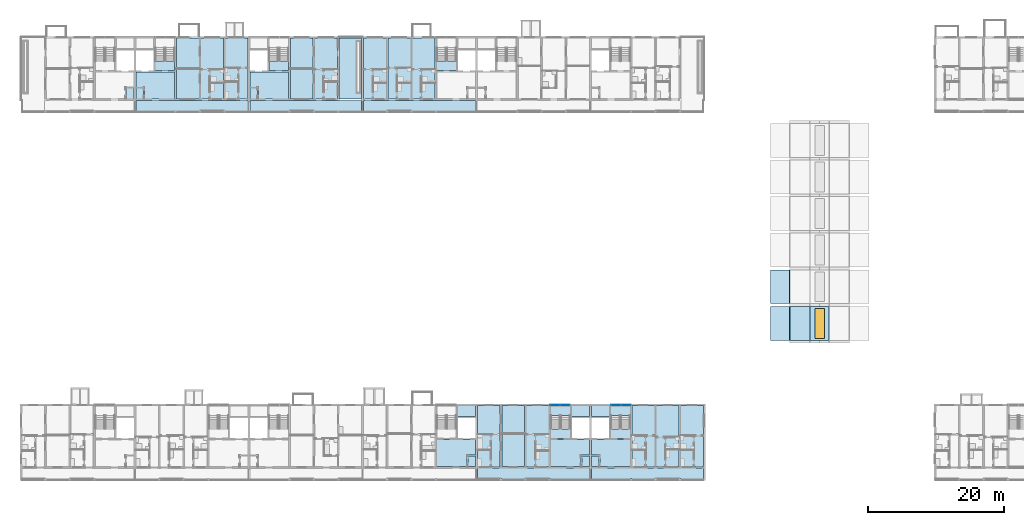
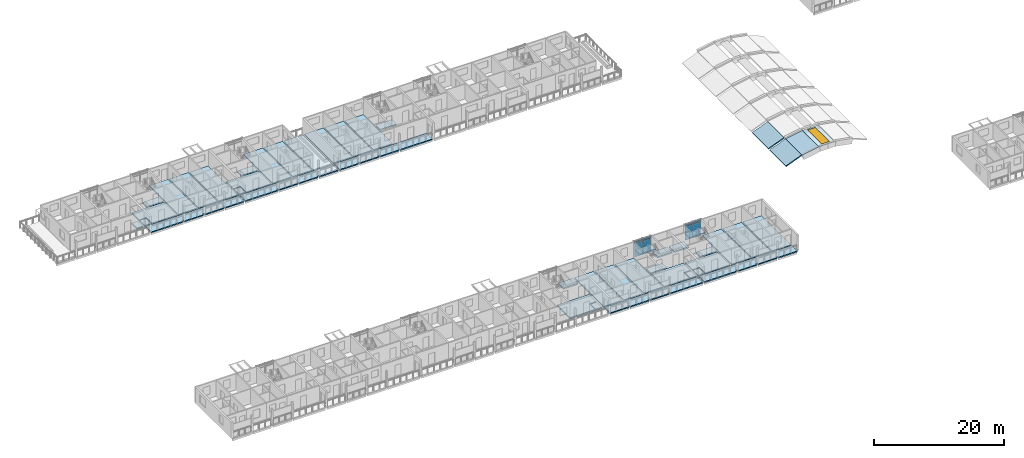
# One storey, part 23 of 93: 45 slabs, 8 plates, 1 window, 1 opening, 4 elements without a shape of their own.
"""IFC4 building model written with IfcOpenShell, lengths in metres."""

from ifc_helpers import new_model, si_unit, direction, frame, origin, origin_2d, place, context, subcontext, project, spatial, polyline, rectangle, outline, extrude, material, layer, layer_set, type_object, element, fill, aggregate, save


model = new_model("IFC4")

# Units and contexts
model_context = context("Model", 3, precision=1e-05, world=origin(), true_north=direction((0.0, 1.0)))
body_context = subcontext(model_context, "Body", "Model", "MODEL_VIEW")
ifc_project = project(units=[si_unit("LENGTHUNIT", "METRE"), si_unit("AREAUNIT", "SQUARE_METRE"), si_unit("VOLUMEUNIT", "CUBIC_METRE"), si_unit("PLANEANGLEUNIT", "RADIAN"), si_unit("MASSUNIT", "GRAM", prefix="KILO")], contexts=[model_context])

# Site, building, storey
site_placement = place(None, origin())
site = spatial("IfcSite", under=ifc_project, at=site_placement, CompositionType="ELEMENT")
building_placement = place(site_placement, origin())
building = spatial("IfcBuilding", under=site, at=building_placement, Name="Ridgestep Commons", CompositionType="ELEMENT")
storey_placement = place(building_placement, frame((0.0, 0.0, 18.0)))
storey = spatial("IfcBuildingStorey", under=building, at=storey_placement, Name="L06", CompositionType="ELEMENT", Elevation=18.0)

# Slabs
ifc_material_1 = material(Name="Precast concrete C40/50", Category="concrete")
ifc_layer_1 = layer(ifc_material_1, 0.199951171875)
ifc_layer_set_1 = layer_set([ifc_layer_1], Name="Gallery slab 200")
slab_type_1 = type_object("IfcSlabType", Name="Gallery slab 200", PredefinedType="FLOOR", material=ifc_layer_set_1)
slab_1_placement = place(storey_placement, frame((0.0, 0.0, -0.199951171875)))
element("IfcSlab", 1, at=slab_1_placement, inside=storey, type_object=slab_type_1, Name="Gallery slab A5 L06", PredefinedType="FLOOR", context=body_context, shape_type="SweptSolid", body=[
    extrude(outline(polyline([(95.85009765625, 13.550048828125), (79.35009765625, 13.550048828125), (79.35009765625, 11.75), (82.675048828125, 11.75), (82.675048828125, 12.0), (82.925048828125, 12.0), (82.925048828125, 11.75), (86.27490234375, 11.75), (86.27490234375, 12.0), (86.52490234375, 12.0), (86.52490234375, 11.75), (89.875, 11.75), (89.875, 12.0), (90.125, 12.0), (90.125, 11.75), (95.85009765625, 11.75), (95.85009765625, 13.550048828125)])), origin(), (0.0, 0.0, 1.0), 0.199951171875),
])
slab_2_placement = place(storey_placement, frame((0.0, 0.0, -0.199951171875)))
element("IfcSlab", 2, at=slab_2_placement, inside=storey, type_object=slab_type_1, Name="Gallery slab A6 L06", PredefinedType="FLOOR", context=body_context, shape_type="SweptSolid", body=[
    extrude(outline(polyline([(112.64990234375, 13.550048828125), (96.14990234375, 13.550048828125), (96.14990234375, 11.75), (101.875, 11.75), (101.875, 12.0), (102.125, 12.0), (102.125, 11.75), (105.47509765625, 11.75), (105.47509765625, 12.0), (105.72509765625, 12.0), (105.72509765625, 11.75), (109.074951171875, 11.75), (109.074951171875, 12.0), (109.324951171875, 12.0), (109.324951171875, 11.75), (112.64990234375, 11.75), (112.64990234375, 13.550048828125)])), origin(), (0.0, 0.0, 1.0), 0.199951171875),
])
slab_3_placement = place(storey_placement, frame((0.0, 0.0, -0.199951171875)))
element("IfcSlab", 3, at=slab_3_placement, inside=storey, type_object=slab_type_1, Name="Gallery slab B2 L06", PredefinedType="FLOOR", context=body_context, shape_type="SweptSolid", body=[
    extrude(outline(polyline([(45.449951171875, 67.800048828125), (28.949951171875, 67.800048828125), (28.949951171875, 66.0), (34.675048828125, 66.0), (34.675048828125, 66.25), (34.925048828125, 66.25), (34.925048828125, 66.0), (38.27490234375, 66.0), (38.27490234375, 66.25), (38.52490234375, 66.25), (38.52490234375, 66.0), (41.875, 66.0), (41.875, 66.25), (42.125, 66.25), (42.125, 66.0), (45.449951171875, 66.0), (45.449951171875, 67.800048828125)])), origin(), (0.0, 0.0, 1.0), 0.199951171875),
])
slab_4_placement = place(storey_placement, frame((0.0, 0.0, -0.199951171875)))
element("IfcSlab", 4, at=slab_4_placement, inside=storey, type_object=slab_type_1, Name="Gallery slab B3 L06", PredefinedType="FLOOR", context=body_context, shape_type="SweptSolid", body=[
    extrude(outline(polyline([(62.25, 67.800048828125), (45.75, 67.800048828125), (45.75, 66.0), (51.47509765625, 66.0), (51.47509765625, 66.25), (51.72509765625, 66.25), (51.72509765625, 66.0), (55.074951171875, 66.0), (55.074951171875, 66.25), (55.324951171875, 66.25), (55.324951171875, 66.0), (58.675048828125, 66.0), (58.675048828125, 66.25), (58.925048828125, 66.25), (58.925048828125, 66.0), (62.25, 66.0), (62.25, 67.800048828125)])), origin(), (0.0, 0.0, 1.0), 0.199951171875),
])
slab_5_placement = place(storey_placement, frame((0.0, 0.0, -0.199951171875)))
element("IfcSlab", 5, at=slab_5_placement, inside=storey, type_object=slab_type_1, Name="Gallery slab B4 L06", PredefinedType="FLOOR", context=body_context, shape_type="SweptSolid", body=[
    extrude(outline(polyline([(79.050048828125, 67.800048828125), (62.550048828125, 67.800048828125), (62.550048828125, 66.0), (65.875, 66.0), (65.875, 66.25), (66.125, 66.25), (66.125, 66.0), (69.47509765625, 66.0), (69.47509765625, 66.25), (69.72509765625, 66.25), (69.72509765625, 66.0), (73.074951171875, 66.0), (73.074951171875, 66.25), (73.324951171875, 66.25), (73.324951171875, 66.0), (79.050048828125, 66.0), (79.050048828125, 67.800048828125)])), origin(), (0.0, 0.0, 1.0), 0.199951171875),
])

# Curtain wall, plates
ifc_material_2 = material(Name="Aluminium 6063-T6 and glass", Category="aluminium")
curtain_wall_type = type_object("IfcCurtainWallType", Name="Curtain wall stair strip", PredefinedType="NOTDEFINED", material=ifc_material_2)
curtain_wall_1_placement = place(storey_placement, origin())
curtain_wall_1 = element("IfcCurtainWall", 6, at=curtain_wall_1_placement, inside=storey, type_object=curtain_wall_type, Name="Curtain wall A5C level 06", PredefinedType="NOTDEFINED")
ifc_material_3 = material(Name="Glass laminated 6/16/6 low-emissivity", Category="glass")
ifc_layer_2 = layer(ifc_material_3, 0.028076171875)
ifc_layer_set_2 = layer_set([ifc_layer_2], Name="Glazing panel 28")
plate_type_1 = type_object("IfcPlateType", Name="Glazing panel 28", PredefinedType="CURTAIN_PANEL", material=ifc_layer_set_2)
plate_1_placement = place(storey_placement, frame((90.771240234375, 22.830078125, 0.06005859375), z_axis=(0.0, 0.0, 1.0), x_axis=(1.0, 0.0, 0.0)))
plate_1 = element("IfcPlate", 7, at=plate_1_placement, type_object=plate_type_1, Name="CW1 panel 1.1", PredefinedType="CURTAIN_PANEL", context=body_context, shape_type="SweptSolid", body=[
    extrude(rectangle(XDim=1.422607421875, YDim=0.028076171875, at=origin_2d()), origin(), (0.0, 0.0, 1.0), 2.5),
])
plate_2_placement = place(storey_placement, frame((92.253662109375, 22.830078125, 0.06005859375), z_axis=(0.0, 0.0, 1.0), x_axis=(1.0, 0.0, 0.0)))
plate_2 = element("IfcPlate", 8, at=plate_2_placement, type_object=plate_type_1, Name="CW1 panel 2.1", PredefinedType="CURTAIN_PANEL", context=body_context, shape_type="SweptSolid", body=[
    extrude(rectangle(XDim=1.422607421875, YDim=0.028076171875, at=origin_2d()), origin(), (0.0, 0.0, 1.0), 2.5),
])

curtain_wall_2_placement = place(storey_placement, origin())
curtain_wall_2 = element("IfcCurtainWall", 9, at=curtain_wall_2_placement, inside=storey, type_object=curtain_wall_type, Name="Curtain wall A6C level 06", PredefinedType="NOTDEFINED")
plate_3_placement = place(storey_placement, frame((99.746337890625, 22.830078125, 0.06005859375), z_axis=(0.0, 0.0, 1.0), x_axis=(1.0, 0.0, 0.0)))
plate_3 = element("IfcPlate", 10, at=plate_3_placement, type_object=plate_type_1, Name="CW1 panel 1.1", PredefinedType="CURTAIN_PANEL", context=body_context, shape_type="SweptSolid", body=[
    extrude(rectangle(XDim=1.422607421875, YDim=0.028076171875, at=origin_2d()), origin(), (0.0, 0.0, 1.0), 2.5),
])
plate_4_placement = place(storey_placement, frame((101.228759765625, 22.830078125, 0.06005859375), z_axis=(0.0, 0.0, 1.0), x_axis=(1.0, 0.0, 0.0)))
plate_4 = element("IfcPlate", 11, at=plate_4_placement, type_object=plate_type_1, Name="CW1 panel 2.1", PredefinedType="CURTAIN_PANEL", context=body_context, shape_type="SweptSolid", body=[
    extrude(rectangle(XDim=1.422607421875, YDim=0.028076171875, at=origin_2d()), origin(), (0.0, 0.0, 1.0), 2.5),
])

# Slab, opening, window
ifc_material_4 = material(Name="Precast concrete C50/60", Category="concrete")
ifc_layer_3 = layer(ifc_material_4, 0.199951171875)
ifc_layer_set_3 = layer_set([ifc_layer_3], Name="Hall crown plank 200")
slab_type_2 = type_object("IfcSlabType", Name="Hall crown plank 200", PredefinedType="ROOF", material=ifc_layer_set_3)
slab_6_placement = place(storey_placement, frame((0.0, 0.0, 1.488525390625)))
slab_6 = element("IfcSlab", 12, at=slab_6_placement, inside=storey, type_object=slab_type_2, Name="Hall barrel vault panel 73", PredefinedType="ROOF", context=body_context, shape_type="SweptSolid", body=[
    extrude(outline(polyline([(128.396484375, 32.39990234375), (131.20361328125, 32.39990234375), (131.20361328125, 37.39990234375), (128.396484375, 37.39990234375), (128.396484375, 32.39990234375)])), origin(), (0.0, 0.0, 1.0), 0.199951171875),
])
opening_placement = place(slab_6_placement, frame((129.800048828125, 34.89990234375, 0.0)))
opening = element("IfcOpeningElement", 13, at=opening_placement, cuts=slab_6, Name="Opening RL1", PredefinedType="OPENING", context=body_context, shape_type="SweptSolid", body=[
    extrude(rectangle(XDim=1.39990234375, YDim=4.39990234375, at=origin_2d()), origin(), (0.0, 0.0, 1.0), 0.199951171875),
])
ifc_material_5 = material(Name="Aluminium and glass", Category="aluminium")
window_type = type_object("IfcWindowType", Name="Roof light 1400 x 4400", PartitioningType="SINGLE_PANEL", PredefinedType="SKYLIGHT", material=ifc_material_5)
window_placement = place(opening_placement, frame((0.0, 0.0, 0.14990234375)))
window = element("IfcWindow", 14, at=window_placement, inside=storey, type_object=window_type, Name="Roof light", OverallHeight=4.39990234375, OverallWidth=1.39990234375, PartitioningType="SINGLE_PANEL", PredefinedType="SKYLIGHT", context=body_context, shape_type="SweptSolid", body=[
    extrude(rectangle(XDim=1.39990234375, YDim=4.39990234375, at=origin_2d()), origin(), (0.0, 0.0, 1.0), 0.050048828125),
])
fill(opening, window)

# Slabs
ifc_material_6 = material(Name="Precast concrete C50/60", Category="concrete")
ifc_layer_4 = layer(ifc_material_6, 0.199951171875)
ifc_layer_set_4 = layer_set([ifc_layer_4], Name="Hall roof plank 200")
slab_type_3 = type_object("IfcSlabType", Name="Hall roof plank 200", PredefinedType="ROOF", material=ifc_layer_set_4)
slab_7_placement = place(storey_placement, frame((122.536376953125, 32.39990234375, 0.03125), z_axis=(-0.362750411998, 0.0, 0.931886333517), x_axis=(0.931886333517, 0.0, 0.362750411998)))
element("IfcSlab", 15, at=slab_7_placement, inside=storey, type_object=slab_type_3, Name="Hall barrel vault panel 5", PredefinedType="ROOF", context=body_context, shape_type="SweptSolid", body=[
    extrude(outline(polyline([(0.0, 0.0), (3.0212157708921197, 0.0), (3.0212157708921197, 5.0), (0.0, 5.0), (0.0, 0.0)])), origin(), (0.0, 0.0, -1.0), 0.199951171875),
])
slab_8_placement = place(storey_placement, frame((125.38818359375, 32.39990234375, 1.137451171875), z_axis=(-0.181345488126, 0.0, 0.983419449643), x_axis=(0.983419449643, 0.0, 0.181345488126)))
element("IfcSlab", 16, at=slab_8_placement, inside=storey, type_object=slab_type_3, Name="Hall barrel vault panel 6", PredefinedType="ROOF", context=body_context, shape_type="SweptSolid", body=[
    extrude(outline(polyline([(0.0, 0.0), (3.0210377339017724, 0.0), (3.0210377339017724, 5.0), (0.0, 5.0), (0.0, 0.0)])), origin(), (0.0, 0.0, -1.0), 0.199951171875),
])
slab_9_placement = place(storey_placement, frame((122.536376953125, 37.800048828125, 0.03125), z_axis=(-0.362750411998, 0.0, 0.931886333517), x_axis=(0.931886333517, 0.0, 0.362750411998)))
element("IfcSlab", 17, at=slab_9_placement, inside=storey, type_object=slab_type_3, Name="Hall barrel vault panel 17", PredefinedType="ROOF", context=body_context, shape_type="SweptSolid", body=[
    extrude(outline(polyline([(0.0, 0.0), (3.0212157708921197, 0.0), (3.0212157708921197, 5.0), (0.0, 5.0), (0.0, 0.0)])), origin(), (0.0, 0.0, -1.0), 0.199951171875),
])
ifc_material_7 = material(Name="Precast concrete C50/60", Category="concrete")
ifc_layer_5 = layer(ifc_material_7, 0.199951171875)
ifc_layer_set_5 = layer_set([ifc_layer_5], Name="Hollow-core plank 200")
slab_type_4 = type_object("IfcSlabType", Name="Hollow-core plank 200", PredefinedType="FLOOR", material=ifc_layer_set_5)
slab_10_placement = place(storey_placement, frame((0.0, 0.0, -0.199951171875)))
element("IfcSlab", 18, at=slab_10_placement, inside=storey, type_object=slab_type_4, Name="Floor plank A5T1 L06", PredefinedType="FLOOR", context=body_context, shape_type="SweptSolid", body=[
    extrude(outline(polyline([(82.675048828125, 13.75), (82.675048828125, 22.75), (79.35009765625, 22.75), (79.35009765625, 13.75), (82.675048828125, 13.75)])), origin(), (0.0, 0.0, 1.0), 0.199951171875),
])
slab_11_placement = place(storey_placement, frame((0.0, 0.0, -0.199951171875)))
element("IfcSlab", 19, at=slab_11_placement, inside=storey, type_object=slab_type_4, Name="Floor plank A5T2 L06", PredefinedType="FLOOR", context=body_context, shape_type="SweptSolid", body=[
    extrude(outline(polyline([(86.27490234375, 13.75), (86.27490234375, 22.75), (82.925048828125, 22.75), (82.925048828125, 13.75), (86.27490234375, 13.75)])), origin(), (0.0, 0.0, 1.0), 0.199951171875),
])
slab_12_placement = place(storey_placement, frame((0.0, 0.0, -0.199951171875)))
element("IfcSlab", 20, at=slab_12_placement, inside=storey, type_object=slab_type_4, Name="Floor plank A5T3 L06", PredefinedType="FLOOR", context=body_context, shape_type="SweptSolid", body=[
    extrude(outline(polyline([(89.875, 13.75), (89.875, 22.75), (86.52490234375, 22.75), (86.52490234375, 13.75), (89.875, 13.75)])), origin(), (0.0, 0.0, 1.0), 0.199951171875),
])
slab_13_placement = place(storey_placement, frame((0.0, 0.0, -0.199951171875)))
element("IfcSlab", 21, at=slab_13_placement, inside=storey, type_object=slab_type_4, Name="Floor plank A6T3 L06", PredefinedType="FLOOR", context=body_context, shape_type="SweptSolid", body=[
    extrude(outline(polyline([(105.5, 13.75), (105.5, 22.75), (102.125, 22.75), (102.125, 13.75), (105.5, 13.75)])), origin(), (0.0, 0.0, 1.0), 0.199951171875),
])
slab_14_placement = place(storey_placement, frame((0.0, 0.0, -0.199951171875)))
element("IfcSlab", 22, at=slab_14_placement, inside=storey, type_object=slab_type_4, Name="Floor plank A6T2 L06", PredefinedType="FLOOR", context=body_context, shape_type="SweptSolid", body=[
    extrude(outline(polyline([(109.10009765625, 13.75), (109.10009765625, 22.75), (105.699951171875, 22.75), (105.699951171875, 13.75), (109.10009765625, 13.75)])), origin(), (0.0, 0.0, 1.0), 0.199951171875),
])
slab_15_placement = place(storey_placement, frame((0.0, 0.0, -0.199951171875)))
element("IfcSlab", 23, at=slab_15_placement, inside=storey, type_object=slab_type_4, Name="Floor plank A6T1 L06", PredefinedType="FLOOR", context=body_context, shape_type="SweptSolid", body=[
    extrude(outline(polyline([(112.64990234375, 13.75), (112.64990234375, 22.75), (109.300048828125, 22.75), (109.300048828125, 13.75), (112.64990234375, 13.75)])), origin(), (0.0, 0.0, 1.0), 0.199951171875),
])
slab_16_placement = place(storey_placement, frame((0.0, 0.0, -0.199951171875)))
element("IfcSlab", 24, at=slab_16_placement, inside=storey, type_object=slab_type_4, Name="Floor plank B2T3 L06", PredefinedType="FLOOR", context=body_context, shape_type="SweptSolid", body=[
    extrude(outline(polyline([(38.300048828125, 68.0), (38.300048828125, 77.0), (34.925048828125, 77.0), (34.925048828125, 68.0), (38.300048828125, 68.0)])), origin(), (0.0, 0.0, 1.0), 0.199951171875),
])
slab_17_placement = place(storey_placement, frame((0.0, 0.0, -0.199951171875)))
element("IfcSlab", 25, at=slab_17_placement, inside=storey, type_object=slab_type_4, Name="Floor plank B2T2 L06", PredefinedType="FLOOR", context=body_context, shape_type="SweptSolid", body=[
    extrude(outline(polyline([(41.89990234375, 68.0), (41.89990234375, 77.0), (38.5, 77.0), (38.5, 68.0), (41.89990234375, 68.0)])), origin(), (0.0, 0.0, 1.0), 0.199951171875),
])
slab_18_placement = place(storey_placement, frame((0.0, 0.0, -0.199951171875)))
element("IfcSlab", 26, at=slab_18_placement, inside=storey, type_object=slab_type_4, Name="Floor plank B2T1 L06", PredefinedType="FLOOR", context=body_context, shape_type="SweptSolid", body=[
    extrude(outline(polyline([(45.449951171875, 68.0), (45.449951171875, 77.0), (42.10009765625, 77.0), (42.10009765625, 68.0), (45.449951171875, 68.0)])), origin(), (0.0, 0.0, 1.0), 0.199951171875),
])
slab_19_placement = place(storey_placement, frame((0.0, 0.0, -0.199951171875)))
element("IfcSlab", 27, at=slab_19_placement, inside=storey, type_object=slab_type_4, Name="Floor plank B3T3 L06", PredefinedType="FLOOR", context=body_context, shape_type="SweptSolid", body=[
    extrude(outline(polyline([(55.10009765625, 68.0), (55.10009765625, 77.0), (51.72509765625, 77.0), (51.72509765625, 68.0), (55.10009765625, 68.0)])), origin(), (0.0, 0.0, 1.0), 0.199951171875),
])
slab_20_placement = place(storey_placement, frame((0.0, 0.0, -0.199951171875)))
element("IfcSlab", 28, at=slab_20_placement, inside=storey, type_object=slab_type_4, Name="Floor plank B3T2 L06", PredefinedType="FLOOR", context=body_context, shape_type="SweptSolid", body=[
    extrude(outline(polyline([(58.699951171875, 68.0), (58.699951171875, 77.0), (55.300048828125, 77.0), (55.300048828125, 68.0), (58.699951171875, 68.0)])), origin(), (0.0, 0.0, 1.0), 0.199951171875),
])
slab_21_placement = place(storey_placement, frame((0.0, 0.0, -0.199951171875)))
element("IfcSlab", 29, at=slab_21_placement, inside=storey, type_object=slab_type_4, Name="Floor plank B4T1 L06", PredefinedType="FLOOR", context=body_context, shape_type="SweptSolid", body=[
    extrude(outline(polyline([(65.89990234375, 68.0), (65.89990234375, 77.0), (62.550048828125, 77.0), (62.550048828125, 68.0), (65.89990234375, 68.0)])), origin(), (0.0, 0.0, 1.0), 0.199951171875),
])
slab_22_placement = place(storey_placement, frame((0.0, 0.0, -0.199951171875)))
element("IfcSlab", 30, at=slab_22_placement, inside=storey, type_object=slab_type_4, Name="Floor plank B4T2 L06", PredefinedType="FLOOR", context=body_context, shape_type="SweptSolid", body=[
    extrude(outline(polyline([(69.5, 68.0), (69.5, 77.0), (66.10009765625, 77.0), (66.10009765625, 68.0), (69.5, 68.0)])), origin(), (0.0, 0.0, 1.0), 0.199951171875),
])
slab_23_placement = place(storey_placement, frame((0.0, 0.0, -0.199951171875)))
element("IfcSlab", 31, at=slab_23_placement, inside=storey, type_object=slab_type_4, Name="Floor plank B4T3 L06", PredefinedType="FLOOR", context=body_context, shape_type="SweptSolid", body=[
    extrude(outline(polyline([(73.074951171875, 68.0), (73.074951171875, 77.0), (69.699951171875, 77.0), (69.699951171875, 68.0), (73.074951171875, 68.0)])), origin(), (0.0, 0.0, 1.0), 0.199951171875),
])
ifc_material_8 = material(Name="Precast concrete C50/60", Category="concrete")
ifc_layer_6 = layer(ifc_material_8, 0.25)
ifc_layer_set_6 = layer_set([ifc_layer_6], Name="Hollow-core plank 250")
slab_type_5 = type_object("IfcSlabType", Name="Hollow-core plank 250", PredefinedType="FLOOR", material=ifc_layer_set_6)
slab_24_placement = place(storey_placement, frame((0.0, 0.0, -0.25)))
element("IfcSlab", 32, at=slab_24_placement, inside=storey, type_object=slab_type_5, Name="Floor plank A4C L06", PredefinedType="FLOOR", context=body_context, shape_type="SweptSolid", body=[
    extrude(outline(polyline([(77.919921875, 15.469970703125), (79.050048828125, 15.469970703125), (79.050048828125, 17.75), (73.324951171875, 17.75), (73.324951171875, 13.75), (77.800048828125, 13.75), (77.800048828125, 15.469970703125), (77.919921875, 15.469970703125)])), origin(), (0.0, 0.0, 1.0), 0.25),
])
slab_25_placement = place(storey_placement, frame((0.0, 0.0, -0.25)))
element("IfcSlab", 33, at=slab_25_placement, inside=storey, type_object=slab_type_5, Name="Floor plank A4C L06", PredefinedType="FLOOR", context=body_context, shape_type="SweptSolid", body=[
    extrude(outline(polyline([(79.050048828125, 21.14990234375), (79.050048828125, 22.75), (76.425048828125, 22.75), (76.425048828125, 21.14990234375), (79.050048828125, 21.14990234375)])), origin(), (0.0, 0.0, 1.0), 0.25),
])
slab_26_placement = place(storey_placement, frame((0.0, 0.0, -0.25)))
element("IfcSlab", 34, at=slab_26_placement, inside=storey, type_object=slab_type_5, Name="Floor plank A4C L06", PredefinedType="FLOOR", context=body_context, shape_type="SweptSolid", body=[
    extrude(outline(polyline([(77.919921875, 13.75), (79.050048828125, 13.75), (79.050048828125, 15.35009765625), (77.919921875, 15.35009765625), (77.919921875, 13.75)])), origin(), (0.0, 0.0, 1.0), 0.25),
])
slab_27_placement = place(storey_placement, frame((0.0, 0.0, -0.25)))
element("IfcSlab", 35, at=slab_27_placement, inside=storey, type_object=slab_type_5, Name="Floor plank A5C L06", PredefinedType="FLOOR", context=body_context, shape_type="SweptSolid", body=[
    extrude(outline(polyline([(94.719970703125, 15.469970703125), (95.85009765625, 15.469970703125), (95.85009765625, 17.75), (90.125, 17.75), (90.125, 13.75), (94.60009765625, 13.75), (94.60009765625, 15.469970703125), (94.719970703125, 15.469970703125)])), origin(), (0.0, 0.0, 1.0), 0.25),
])
slab_28_placement = place(storey_placement, frame((0.0, 0.0, -0.25)))
element("IfcSlab", 36, at=slab_28_placement, inside=storey, type_object=slab_type_5, Name="Floor plank A5C L06", PredefinedType="FLOOR", context=body_context, shape_type="SweptSolid", body=[
    extrude(outline(polyline([(95.85009765625, 21.14990234375), (95.85009765625, 22.75), (93.22509765625, 22.75), (93.22509765625, 21.14990234375), (95.85009765625, 21.14990234375)])), origin(), (0.0, 0.0, 1.0), 0.25),
])
slab_29_placement = place(storey_placement, frame((0.0, 0.0, -0.25)))
element("IfcSlab", 37, at=slab_29_placement, inside=storey, type_object=slab_type_5, Name="Floor plank A5C L06", PredefinedType="FLOOR", context=body_context, shape_type="SweptSolid", body=[
    extrude(outline(polyline([(93.02490234375, 17.949951171875), (93.02490234375, 19.35009765625), (90.125, 19.35009765625), (90.125, 17.949951171875), (93.02490234375, 17.949951171875)])), origin(), (0.0, 0.0, 1.0), 0.25),
])
slab_30_placement = place(storey_placement, frame((0.0, 0.0, -0.25)))
element("IfcSlab", 38, at=slab_30_placement, inside=storey, type_object=slab_type_5, Name="Floor plank A5C L06", PredefinedType="FLOOR", context=body_context, shape_type="SweptSolid", body=[
    extrude(outline(polyline([(94.719970703125, 13.75), (95.85009765625, 13.75), (95.85009765625, 15.35009765625), (94.719970703125, 15.35009765625), (94.719970703125, 13.75)])), origin(), (0.0, 0.0, 1.0), 0.25),
])
slab_31_placement = place(storey_placement, frame((0.0, 0.0, -0.25)))
element("IfcSlab", 39, at=slab_31_placement, inside=storey, type_object=slab_type_5, Name="Floor plank A6C L06", PredefinedType="FLOOR", context=body_context, shape_type="SweptSolid", body=[
    extrude(outline(polyline([(97.39990234375, 13.75), (101.875, 13.75), (101.875, 17.75), (96.14990234375, 17.75), (96.14990234375, 15.469970703125), (97.280029296875, 15.469970703125), (97.39990234375, 15.469970703125), (97.39990234375, 13.75)])), origin(), (0.0, 0.0, 1.0), 0.25),
])
slab_32_placement = place(storey_placement, frame((0.0, 0.0, -0.25)))
element("IfcSlab", 40, at=slab_32_placement, inside=storey, type_object=slab_type_5, Name="Floor plank A6C L06", PredefinedType="FLOOR", context=body_context, shape_type="SweptSolid", body=[
    extrude(outline(polyline([(98.77490234375, 22.75), (96.14990234375, 22.75), (96.14990234375, 21.14990234375), (98.77490234375, 21.14990234375), (98.77490234375, 22.75)])), origin(), (0.0, 0.0, 1.0), 0.25),
])
slab_33_placement = place(storey_placement, frame((0.0, 0.0, -0.25)))
element("IfcSlab", 41, at=slab_33_placement, inside=storey, type_object=slab_type_5, Name="Floor plank A6C L06", PredefinedType="FLOOR", context=body_context, shape_type="SweptSolid", body=[
    extrude(outline(polyline([(101.875, 17.949951171875), (101.875, 19.35009765625), (98.97509765625, 19.35009765625), (98.97509765625, 17.949951171875), (101.875, 17.949951171875)])), origin(), (0.0, 0.0, 1.0), 0.25),
])
slab_34_placement = place(storey_placement, frame((0.0, 0.0, -0.25)))
element("IfcSlab", 42, at=slab_34_placement, inside=storey, type_object=slab_type_5, Name="Floor plank A6C L06", PredefinedType="FLOOR", context=body_context, shape_type="SweptSolid", body=[
    extrude(outline(polyline([(97.280029296875, 15.35009765625), (96.14990234375, 15.35009765625), (96.14990234375, 13.75), (97.280029296875, 13.75), (97.280029296875, 15.35009765625)])), origin(), (0.0, 0.0, 1.0), 0.25),
])
slab_35_placement = place(storey_placement, frame((0.0, 0.0, -0.25)))
element("IfcSlab", 43, at=slab_35_placement, inside=storey, type_object=slab_type_5, Name="Floor plank B1C L06", PredefinedType="FLOOR", context=body_context, shape_type="SweptSolid", body=[
    extrude(outline(polyline([(27.52001953125, 68.0), (28.64990234375, 68.0), (28.64990234375, 69.60009765625), (27.52001953125, 69.60009765625), (27.52001953125, 68.0)])), origin(), (0.0, 0.0, 1.0), 0.25),
])
slab_36_placement = place(storey_placement, frame((0.0, 0.0, -0.25)))
element("IfcSlab", 44, at=slab_36_placement, inside=storey, type_object=slab_type_5, Name="Floor plank B2C L06", PredefinedType="FLOOR", context=body_context, shape_type="SweptSolid", body=[
    extrude(outline(polyline([(30.199951171875, 68.0), (34.675048828125, 68.0), (34.675048828125, 72.0), (28.949951171875, 72.0), (28.949951171875, 69.719970703125), (30.080078125, 69.719970703125), (30.199951171875, 69.719970703125), (30.199951171875, 68.0)])), origin(), (0.0, 0.0, 1.0), 0.25),
])
slab_37_placement = place(storey_placement, frame((0.0, 0.0, -0.25)))
element("IfcSlab", 45, at=slab_37_placement, inside=storey, type_object=slab_type_5, Name="Floor plank B2C L06", PredefinedType="FLOOR", context=body_context, shape_type="SweptSolid", body=[
    extrude(outline(polyline([(34.675048828125, 72.199951171875), (34.675048828125, 73.60009765625), (31.77490234375, 73.60009765625), (31.77490234375, 72.199951171875), (34.675048828125, 72.199951171875)])), origin(), (0.0, 0.0, 1.0), 0.25),
])
slab_38_placement = place(storey_placement, frame((0.0, 0.0, -0.25)))
element("IfcSlab", 46, at=slab_38_placement, inside=storey, type_object=slab_type_5, Name="Floor plank B2C L06", PredefinedType="FLOOR", context=body_context, shape_type="SweptSolid", body=[
    extrude(outline(polyline([(30.080078125, 69.60009765625), (28.949951171875, 69.60009765625), (28.949951171875, 68.0), (30.080078125, 68.0), (30.080078125, 69.60009765625)])), origin(), (0.0, 0.0, 1.0), 0.25),
])
slab_39_placement = place(storey_placement, frame((0.0, 0.0, -0.25)))
element("IfcSlab", 47, at=slab_39_placement, inside=storey, type_object=slab_type_5, Name="Floor plank B3C L06", PredefinedType="FLOOR", context=body_context, shape_type="SweptSolid", body=[
    extrude(outline(polyline([(47.0, 68.0), (51.47509765625, 68.0), (51.47509765625, 72.0), (45.75, 72.0), (45.75, 69.719970703125), (46.8798828125, 69.719970703125), (47.0, 69.719970703125), (47.0, 68.0)])), origin(), (0.0, 0.0, 1.0), 0.25),
])
slab_40_placement = place(storey_placement, frame((0.0, 0.0, -0.25)))
element("IfcSlab", 48, at=slab_40_placement, inside=storey, type_object=slab_type_5, Name="Floor plank B3C L06", PredefinedType="FLOOR", context=body_context, shape_type="SweptSolid", body=[
    extrude(outline(polyline([(51.47509765625, 72.199951171875), (51.47509765625, 73.60009765625), (48.574951171875, 73.60009765625), (48.574951171875, 72.199951171875), (51.47509765625, 72.199951171875)])), origin(), (0.0, 0.0, 1.0), 0.25),
])
slab_41_placement = place(storey_placement, frame((0.0, 0.0, -0.25)))
element("IfcSlab", 49, at=slab_41_placement, inside=storey, type_object=slab_type_5, Name="Floor plank B3C L06", PredefinedType="FLOOR", context=body_context, shape_type="SweptSolid", body=[
    extrude(outline(polyline([(46.8798828125, 69.60009765625), (45.75, 69.60009765625), (45.75, 68.0), (46.8798828125, 68.0), (46.8798828125, 69.60009765625)])), origin(), (0.0, 0.0, 1.0), 0.25),
])
slab_42_placement = place(storey_placement, frame((0.0, 0.0, -0.25)))
element("IfcSlab", 50, at=slab_42_placement, inside=storey, type_object=slab_type_5, Name="Floor plank B4C L06", PredefinedType="FLOOR", context=body_context, shape_type="SweptSolid", body=[
    extrude(outline(polyline([(76.22509765625, 72.199951171875), (76.22509765625, 73.60009765625), (73.324951171875, 73.60009765625), (73.324951171875, 72.199951171875), (76.22509765625, 72.199951171875)])), origin(), (0.0, 0.0, 1.0), 0.25),
])
ifc_material_9 = material(Name="Precast concrete C50/60", Category="concrete")
ifc_layer_7 = layer(ifc_material_9, 0.25)
ifc_layer_set_7 = layer_set([ifc_layer_7], Name="Roof slab 250")
slab_type_6 = type_object("IfcSlabType", Name="Roof slab 250", PredefinedType="ROOF", material=ifc_layer_set_7)
slab_43_placement = place(storey_placement, frame((0.0, 0.0, -0.25)))
element("IfcSlab", 51, at=slab_43_placement, inside=storey, type_object=slab_type_6, Name="Terrace slab B3T1", PredefinedType="ROOF", context=body_context, shape_type="SweptSolid", body=[
    extrude(outline(polyline([(62.25, 68.0), (62.25, 77.0), (58.89990234375, 77.0), (58.89990234375, 68.0), (62.25, 68.0)])), origin(), (0.0, 0.0, 1.0), 0.25),
])

# Plate
ifc_material_10 = material(Name="Aluminium 6063-T6 and mineral wool", Category="aluminium")
ifc_layer_8 = layer(ifc_material_10, 0.0400390625)
ifc_layer_set_8 = layer_set([ifc_layer_8], Name="Spandrel panel 40")
plate_type_2 = type_object("IfcPlateType", Name="Spandrel panel 40", PredefinedType="CURTAIN_PANEL", material=ifc_layer_set_8)
plate_5_placement = place(storey_placement, frame((90.771240234375, 22.830078125, 2.6201171875), z_axis=(0.0, 0.0, 1.0), x_axis=(1.0, 0.0, 0.0)))
plate_5 = element("IfcPlate", 52, at=plate_5_placement, type_object=plate_type_2, Name="CW1 panel 1.2", PredefinedType="CURTAIN_PANEL", context=body_context, shape_type="SweptSolid", body=[
    extrude(rectangle(XDim=1.422607421875, YDim=0.0400390625, at=origin_2d()), origin(), (0.0, 0.0, 1.0), 0.320068359375),
])

plate_6_placement = place(storey_placement, frame((92.253662109375, 22.830078125, 2.6201171875), z_axis=(0.0, 0.0, 1.0), x_axis=(1.0, 0.0, 0.0)))
plate_6 = element("IfcPlate", 53, at=plate_6_placement, type_object=plate_type_2, Name="CW1 panel 2.2", PredefinedType="CURTAIN_PANEL", context=body_context, shape_type="SweptSolid", body=[
    extrude(rectangle(XDim=1.422607421875, YDim=0.0400390625, at=origin_2d()), origin(), (0.0, 0.0, 1.0), 0.320068359375),
])

aggregate(curtain_wall_1, [plate_1, plate_5, plate_2, plate_6])

plate_7_placement = place(storey_placement, frame((99.746337890625, 22.830078125, 2.6201171875), z_axis=(0.0, 0.0, 1.0), x_axis=(1.0, 0.0, 0.0)))
plate_7 = element("IfcPlate", 54, at=plate_7_placement, type_object=plate_type_2, Name="CW1 panel 1.2", PredefinedType="CURTAIN_PANEL", context=body_context, shape_type="SweptSolid", body=[
    extrude(rectangle(XDim=1.422607421875, YDim=0.0400390625, at=origin_2d()), origin(), (0.0, 0.0, 1.0), 0.320068359375),
])

plate_8_placement = place(storey_placement, frame((101.228759765625, 22.830078125, 2.6201171875), z_axis=(0.0, 0.0, 1.0), x_axis=(1.0, 0.0, 0.0)))
plate_8 = element("IfcPlate", 55, at=plate_8_placement, type_object=plate_type_2, Name="CW1 panel 2.2", PredefinedType="CURTAIN_PANEL", context=body_context, shape_type="SweptSolid", body=[
    extrude(rectangle(XDim=1.422607421875, YDim=0.0400390625, at=origin_2d()), origin(), (0.0, 0.0, 1.0), 0.320068359375),
])

aggregate(curtain_wall_2, [plate_3, plate_7, plate_4, plate_8])

# Stair, slab
ifc_material_11 = material(Name="Precast concrete C40/50", Category="concrete")
stair_type = type_object("IfcStairType", Name="Escape stair 1400", PredefinedType="HALF_TURN_STAIR", material=ifc_material_11)
stair_1_placement = place(storey_placement, origin())
stair_1 = element("IfcStair", 56, at=stair_1_placement, inside=storey, type_object=stair_type, Name="L06 Escape stair A5C", PredefinedType="HALF_TURN_STAIR")
ifc_material_12 = material(Name="Precast concrete C40/50", Category="concrete")
ifc_layer_9 = layer(ifc_material_12, 0.199951171875)
ifc_layer_set_9 = layer_set([ifc_layer_9], Name="Stair landing 200")
slab_type_7 = type_object("IfcSlabType", Name="Stair landing 200", PredefinedType="LANDING", material=ifc_layer_set_9)
slab_44_placement = place(storey_placement, frame((0.0, 0.0, 1.300048828125)))
slab_44 = element("IfcSlab", 57, at=slab_44_placement, type_object=slab_type_7, Name="A5C landing 1", PredefinedType="LANDING", context=body_context, shape_type="SweptSolid", body=[
    extrude(outline(polyline([(93.02490234375, 21.31005859375), (93.02490234375, 22.75), (90.125, 22.75), (90.125, 21.31005859375), (93.02490234375, 21.31005859375)])), origin(), (0.0, 0.0, 1.0), 0.199951171875),
])
aggregate(stair_1, [slab_44])

stair_2_placement = place(storey_placement, origin())
stair_2 = element("IfcStair", 58, at=stair_2_placement, inside=storey, type_object=stair_type, Name="L06 Escape stair A6C", PredefinedType="HALF_TURN_STAIR")
slab_45_placement = place(storey_placement, frame((0.0, 0.0, 1.300048828125)))
slab_45 = element("IfcSlab", 59, at=slab_45_placement, type_object=slab_type_7, Name="A6C landing 1", PredefinedType="LANDING", context=body_context, shape_type="SweptSolid", body=[
    extrude(outline(polyline([(101.875, 21.31005859375), (101.875, 22.75), (98.97509765625, 22.75), (98.97509765625, 21.31005859375), (101.875, 21.31005859375)])), origin(), (0.0, 0.0, 1.0), 0.199951171875),
])
aggregate(stair_2, [slab_45])

save(model, "model.ifc")
